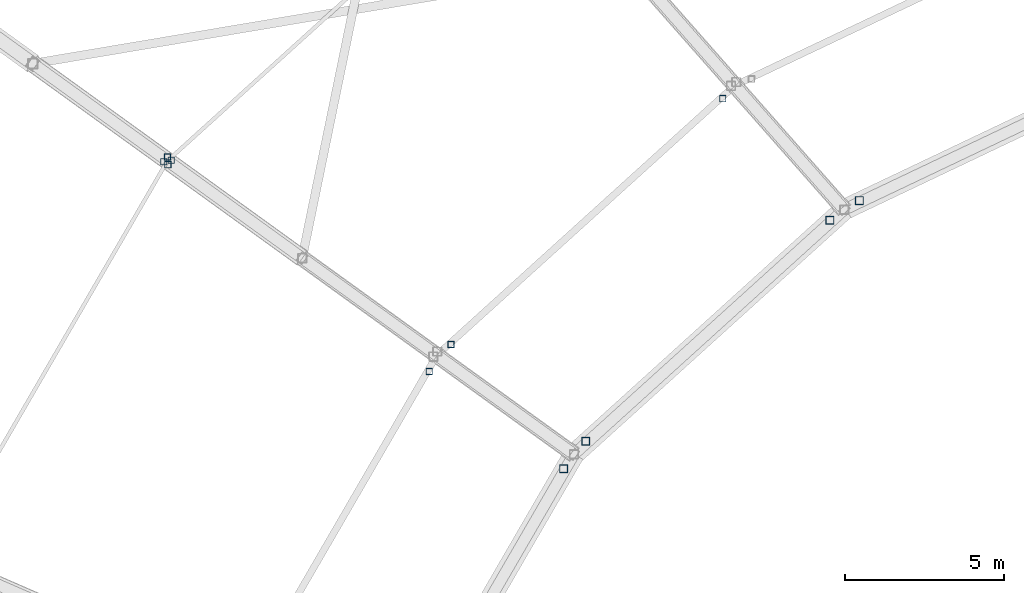
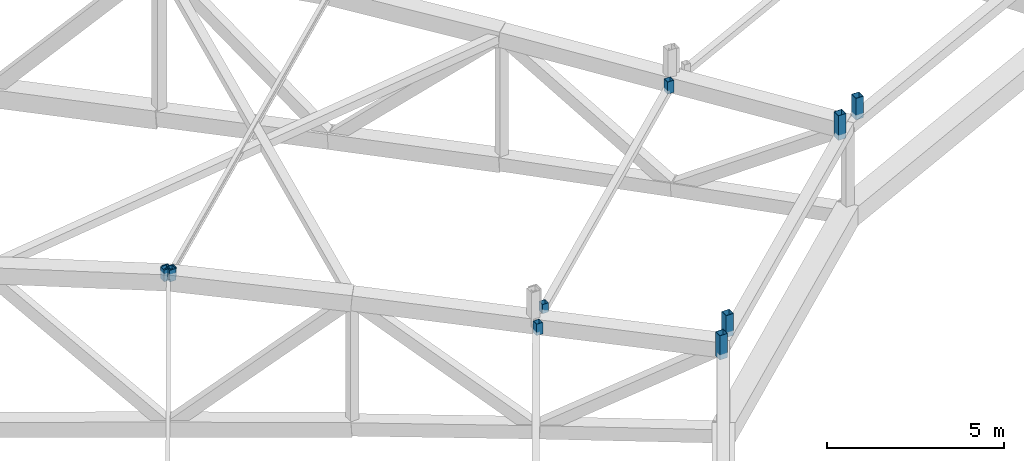
# One storey, part 111 of 162: 11 members.
"""IFC4 building model written with IfcOpenShell, lengths in metres."""

import ifcopenshell
import ifcopenshell.guid

model = None  # the IFC model being written
_history = None  # IfcOwnerHistory: only IFC2X3 demands one
_inside = {}  # id of a spatial element -> (the spatial element, [elements in it])
_under = {}  # id of a project, library or spatial element -> (it, [spatial elements below it])
_declared = {}  # id of a project -> (the project, [libraries it declares])
_typed = {}  # id of a type object -> (the type object, [elements of that type])
_made_of = {}  # id of a material, layer set ... -> (it, [elements and type objects made of it])


def new_model(schema):
    """Start an empty IFC model of exactly this schema.

    Asked for "IFC4X3", IfcOpenShell would pick the latest addendum, in which some entities
    have other attributes; the version numbers below select the first issue.
    IFC2X3 requires an IfcOwnerHistory on every rooted entity: one is made here for all.
    """
    global model, _history
    if schema == "IFC4X3":
        model = ifcopenshell.file(schema_version=(4, 3, 0, 0))
    else:
        model = ifcopenshell.file(schema=schema)
    _inside.clear()
    _under.clear()
    _declared.clear()
    _typed.clear()
    _made_of.clear()
    _history = None
    if model.schema == "IFC2X3":
        org = make("IfcOrganization", Name="unknown")
        user = make(
            "IfcPersonAndOrganization",
            ThePerson=make("IfcPerson", FamilyName="unknown"),
            TheOrganization=org,
        )
        app = make(
            "IfcApplication",
            ApplicationDeveloper=org,
            Version="unknown",
            ApplicationFullName="unknown",
            ApplicationIdentifier="unknown",
        )
        _history = make(
            "IfcOwnerHistory",
            OwningUser=user,
            OwningApplication=app,
            ChangeAction="ADDED",
            CreationDate=0,
        )
    return model


def make(cls, **values):
    """One entity of the class cls with the attributes given. An attribute that is None is left unset."""
    return model.create_entity(
        cls, **{name: value for name, value in values.items() if value is not None}
    )


def rooted(cls, **values):
    """An entity with a GlobalId (a new one), such as an element, a storey or a relation."""
    return make(cls, GlobalId=ifcopenshell.guid.new(), OwnerHistory=_history, **values)


def si_unit(unit_type, name, prefix=None):
    """IfcSIUnit, for example si_unit("LENGTHUNIT", "METRE", prefix="MILLI")."""
    return make("IfcSIUnit", UnitType=unit_type, Prefix=prefix, Name=name)


def assignment(units):
    """IfcUnitAssignment: the units of a project."""
    return None if units is None else make("IfcUnitAssignment", Units=units)


def point(xyz):
    """IfcCartesianPoint."""
    return None if xyz is None else make("IfcCartesianPoint", Coordinates=xyz)


def direction(xyz):
    """IfcDirection."""
    return None if xyz is None else make("IfcDirection", DirectionRatios=xyz)


def frame(location, z_axis=None, x_axis=None):
    """IfcAxis2Placement3D, a coordinate frame: its origin and axes. An axis left out is left unset."""
    return make(
        "IfcAxis2Placement3D",
        Location=point(location),
        Axis=direction(z_axis),
        RefDirection=direction(x_axis),
    )


def frame_2d(location, x_axis=None):
    """IfcAxis2Placement2D, a coordinate frame in the plane: its origin and x axis."""
    return make(
        "IfcAxis2Placement2D", Location=point(location), RefDirection=direction(x_axis)
    )


def origin():
    """The frame at (0, 0, 0) with its axes left unset."""
    return frame((0.0, 0.0, 0.0))


def origin_2d():
    """The frame at (0, 0) in the plane with its x axis left unset."""
    return frame_2d((0.0, 0.0))


def place(relative_to, where):
    """IfcLocalPlacement: puts the frame where relative to a parent placement (None: the world)."""
    return make(
        "IfcLocalPlacement", PlacementRelTo=relative_to, RelativePlacement=where
    )


def context(
    kind, dimensions, precision=None, world=None, true_north=None, identifier=None
):
    """IfcGeometricRepresentationContext, for example the 3D "Model" context."""
    return make(
        "IfcGeometricRepresentationContext",
        ContextIdentifier=identifier,
        ContextType=kind,
        CoordinateSpaceDimension=dimensions,
        Precision=precision,
        WorldCoordinateSystem=world,
        TrueNorth=true_north,
    )


def subcontext(parent, identifier, kind, view, scale=None):
    """IfcGeometricRepresentationSubContext, for example "Body" below "Model"."""
    return make(
        "IfcGeometricRepresentationSubContext",
        ContextIdentifier=identifier,
        ContextType=kind,
        ParentContext=parent,
        TargetScale=scale,
        TargetView=view,
    )


def project(units=None, contexts=None):
    """IfcProject with its units and contexts."""
    return rooted(
        "IfcProject",
        Name="project",
        RepresentationContexts=contexts,
        UnitsInContext=assignment(units),
    )


def spatial(cls, under=None, at=None, **own):
    """A site, building, storey or space (cls), placed at a placement, below another one or the project."""
    s = rooted(cls, ObjectPlacement=at, **own)
    if under is not None:
        _under.setdefault(under.id(), (under, []))[1].append(s)
    return s


def profile(cls, at=None, kind="AREA", **sizes):
    """A parametric profile (cls). Its sizes go by their IFC names, for example OverallWidth=200.0."""
    return make(cls, ProfileType=kind, Position=at, **sizes)


def hollow_rectangle(**sizes):
    """IfcRectangleHollowProfileDef."""
    return profile("IfcRectangleHollowProfileDef", **sizes)


def extrude(swept, where, along, depth):
    """IfcExtrudedAreaSolid: the profile swept, set in the frame where, extruded along a direction by depth."""
    return make(
        "IfcExtrudedAreaSolid",
        SweptArea=swept,
        Position=where,
        ExtrudedDirection=direction(along),
        Depth=depth,
    )


def shape(context_of_items, identifier, shape_type, items):
    """IfcShapeRepresentation: the items that make up one representation, for example the "Body"."""
    return make(
        "IfcShapeRepresentation",
        ContextOfItems=context_of_items,
        RepresentationIdentifier=identifier,
        RepresentationType=shape_type,
        Items=items,
    )


def material(Name=None, Category=None):
    """IfcMaterial."""
    return make("IfcMaterial", Name=Name, Category=Category)


def material_profile(
    of_material, cross_section, Name=None, Category=None, Priority=None
):
    """IfcMaterialProfile: a cross section and its material."""
    return make(
        "IfcMaterialProfile",
        Name=Name,
        Material=of_material,
        Profile=cross_section,
        Priority=Priority,
        Category=Category,
    )


def profile_set(profiles, Name=None, composite=None):
    """IfcMaterialProfileSet."""
    return make(
        "IfcMaterialProfileSet",
        Name=Name,
        MaterialProfiles=profiles,
        CompositeProfile=composite,
    )


def made_of(thing, what):
    """Note that an element or type object is made of a material, layer set ...; save() writes the relation."""
    if what is not None:
        _made_of.setdefault(what.id(), (what, []))[1].append(thing)
    return thing


def type_object(cls, material=None, **own):
    """A type object (cls), such as IfcWallType, which elements share."""
    return made_of(rooted(cls, **own), material)


def element(
    cls,
    number,
    at=None,
    inside=None,
    cuts=None,
    type_object=None,
    material=None,
    context=None,
    identifier="Body",
    shape_type=None,
    held_by="IfcProductDefinitionShape",
    body=None,
    shapes=None,
    **own,
):
    """One element of the class cls, such as IfcWall. Its Tag is "e" and its number.

    at: its placement. inside: the storey or other place that contains it. cuts: it is an
    opening in that element (IfcRelVoidsElement). A single representation is given by context,
    identifier, shape_type and body (its items); several are given by shapes. held_by: the class
    of the entity that holds the representations. save() writes the other relations.
    """
    e = rooted(cls, Tag="e%d" % number, ObjectPlacement=at, **own)
    if body is not None:
        shapes = [shape(context, identifier, shape_type, body)]
    if shapes is not None:
        e.Representation = make(held_by, Representations=shapes)
    if inside is not None:
        _inside.setdefault(inside.id(), (inside, []))[1].append(e)
    if cuts is not None:
        rooted(
            "IfcRelVoidsElement", RelatingBuildingElement=cuts, RelatedOpeningElement=e
        )
    if type_object is not None:
        _typed.setdefault(type_object.id(), (type_object, []))[1].append(e)
    return made_of(e, material)


def aggregate(whole, parts):
    """IfcRelAggregates: a whole, such as a stair, and the parts it consists of."""
    return rooted("IfcRelAggregates", RelatingObject=whole, RelatedObjects=parts)


def save(model, path):
    """Write the relations noted so far, then the file.

    IfcRelAggregates (storeys below a building ...), IfcRelContainedInSpatialStructure (elements
    in a storey), IfcRelDefinesByType, IfcRelAssociatesMaterial and IfcRelDeclares: one each for
    every whole, place, type object, material and project.
    """
    for whole, parts in _under.values():
        aggregate(whole, parts)
    for where, things in _inside.values():
        rooted(
            "IfcRelContainedInSpatialStructure",
            RelatedElements=things,
            RelatingStructure=where,
        )
    for kind, things in _typed.values():
        rooted("IfcRelDefinesByType", RelatedObjects=things, RelatingType=kind)
    for what, things in _made_of.values():
        rooted("IfcRelAssociatesMaterial", RelatedObjects=things, RelatingMaterial=what)
    for by, libraries in _declared.values():
        rooted("IfcRelDeclares", RelatingContext=by, RelatedDefinitions=libraries)
    model.write(path)


model = new_model("IFC4")

# Units and contexts
model_context = context("Model", 3, precision=1e-05, world=origin(), true_north=direction((0.0, 1.0)))
body_context = subcontext(model_context, "Body", "Model", "MODEL_VIEW")
ifc_project = project(units=[si_unit("LENGTHUNIT", "METRE"), si_unit("AREAUNIT", "SQUARE_METRE"), si_unit("VOLUMEUNIT", "CUBIC_METRE"), si_unit("PLANEANGLEUNIT", "RADIAN"), si_unit("MASSUNIT", "GRAM", prefix="KILO")], contexts=[model_context])

# Site, building, storey
site_placement = place(None, origin())
site = spatial("IfcSite", under=ifc_project, at=site_placement, CompositionType="ELEMENT")
building_placement = place(site_placement, origin())
building = spatial("IfcBuilding", under=site, at=building_placement, Name="Kazemori Nagisa Stadium", CompositionType="ELEMENT")
storey_placement = place(building_placement, frame((0.0, 0.0, 36.719970703125)))
storey = spatial("IfcBuildingStorey", under=building, at=storey_placement, Name="RF", CompositionType="ELEMENT", Elevation=36.719970703125)

# Members
ifc_material = material(Name="Steel STKR490", Category="steel")
ifc_material_profile_1 = material_profile(ifc_material, hollow_rectangle(XDim=0.25, YDim=0.25, WallThickness=0.011962890625, at=origin_2d()), Name="SHS-250x250x12")
ifc_profile_set_1 = profile_set([ifc_material_profile_1], Name="Steel STKR490")
member_type_1 = type_object("IfcMemberType", Name="Member_ST-SHS250", PredefinedType="STUD", material=ifc_profile_set_1)
member_1_placement = place(storey_placement, frame((89.990478515625, 140.30419921875, 5.35400390625), z_axis=(0.0, 0.0, 1.0), x_axis=(1.0, 0.0, 0.0)))
element("IfcMember", 1, at=member_1_placement, inside=storey, type_object=member_type_1, Name="Oculus skylight bearing stool B10-2", PredefinedType="STUD", context=body_context, shape_type="SweptSolid", body=[
    extrude(hollow_rectangle(XDim=0.25, YDim=0.25, WallThickness=0.011962890625, at=origin_2d()), origin(), (0.0, 0.0, 1.0), 0.74609375),
])
member_2_placement = place(storey_placement, frame((89.061767578125, 139.679443359375, 5.35400390625), z_axis=(0.0, 0.0, 1.0), x_axis=(1.0, 0.0, 0.0)))
element("IfcMember", 2, at=member_2_placement, inside=storey, type_object=member_type_1, Name="Oculus skylight bearing stool B11-1", PredefinedType="STUD", context=body_context, shape_type="SweptSolid", body=[
    extrude(hollow_rectangle(XDim=0.25, YDim=0.25, WallThickness=0.011962890625, at=origin_2d()), origin(), (0.0, 0.0, 1.0), 0.84912109375),
])
member_3_placement = place(storey_placement, frame((81.380615234375, 132.731689453125, 5.448974609375), z_axis=(0.0, 0.0, 1.0), x_axis=(1.0, 0.0, 0.0)))
element("IfcMember", 3, at=member_3_placement, inside=storey, type_object=member_type_1, Name="Oculus skylight bearing stool B11-2", PredefinedType="STUD", context=body_context, shape_type="SweptSolid", body=[
    extrude(hollow_rectangle(XDim=0.25, YDim=0.25, WallThickness=0.011962890625, at=origin_2d()), origin(), (0.0, 0.0, 1.0), 0.754150390625),
])
member_4_placement = place(storey_placement, frame((80.677978515625, 131.863525390625, 5.448974609375), z_axis=(0.0, 0.0, 1.0), x_axis=(1.0, 0.0, 0.0)))
element("IfcMember", 4, at=member_4_placement, inside=storey, type_object=member_type_1, Name="Oculus skylight bearing stool B12-1", PredefinedType="STUD", context=body_context, shape_type="SweptSolid", body=[
    extrude(hollow_rectangle(XDim=0.25, YDim=0.25, WallThickness=0.011962890625, at=origin_2d()), origin(), (0.0, 0.0, 1.0), 0.83203125),
])
ifc_material_profile_2 = material_profile(ifc_material, hollow_rectangle(XDim=0.199951171875, YDim=0.199951171875, WallThickness=0.009033203125, at=origin_2d()), Name="SHS-200x200x9")
ifc_profile_set_2 = profile_set([ifc_material_profile_2], Name="Steel STKR490")
member_type_2 = type_object("IfcMemberType", Name="Member_TS-SHS200", PredefinedType="STRUT", material=ifc_profile_set_2)
for number, where, z_axis, x_axis, name in (
    (5, (68.208251953125, 141.674072265625, 6.672119140625), (0.0, 0.0, 1.0), (1.0, 0.0, 0.0), "Canopy bearing stool B11-mid-3"),
    (6, (68.32861328125, 141.573974609375, 6.672119140625), (0.0, 0.0, 1.0), (1.0, 0.0, 0.0), "Canopy bearing stool B11-inner-2"),
):
    element("IfcMember", number, at=place(storey_placement, frame(where, z_axis=z_axis, x_axis=x_axis)), inside=storey, type_object=member_type_2, Name=name, PredefinedType="STRUT", context=body_context, shape_type="SweptSolid", body=[
        extrude(hollow_rectangle(XDim=0.199951171875, YDim=0.199951171875, WallThickness=0.009033203125, at=origin_2d()), origin(), (0.0, 0.0, 1.0), 0.31494140625),
    ])
member_5_placement = place(storey_placement, frame((77.134765625, 135.775390625, 5.887939453125), z_axis=(0.0, 0.0, 1.0), x_axis=(1.0, 0.0, 0.0)))
element("IfcMember", 7, at=member_5_placement, inside=storey, type_object=member_type_2, Name="Oculus skylight bearing stool B11-3", PredefinedType="STRUT", context=body_context, shape_type="SweptSolid", body=[
    extrude(hollow_rectangle(XDim=0.199951171875, YDim=0.199951171875, WallThickness=0.009033203125, at=origin_2d()), origin(), (0.0, 0.0, 1.0), 0.315185546875),
])
member_6_placement = place(storey_placement, frame((85.686767578125, 143.51220703125, 5.784912109375), z_axis=(0.0, 0.0, 1.0), x_axis=(1.0, 0.0, 0.0)))
element("IfcMember", 8, at=member_6_placement, inside=storey, type_object=member_type_2, Name="Oculus skylight bearing stool B11-4", PredefinedType="STRUT", context=body_context, shape_type="SweptSolid", body=[
    extrude(hollow_rectangle(XDim=0.199951171875, YDim=0.199951171875, WallThickness=0.009033203125, at=origin_2d()), origin(), (0.0, 0.0, 1.0), 0.418212890625),
])
for number, where, z_axis, x_axis, name in (
    (9, (68.09326171875, 141.527099609375, 6.672119140625), (0.0, 0.0, 1.0), (1.0, 0.0, 0.0), "Canopy bearing stool B12-mid-4"),
    (10, (68.222412109375, 141.4345703125, 6.672119140625), (0.0, 0.0, 1.0), (1.0, 0.0, 0.0), "Canopy bearing stool B12-inner-1"),
):
    element("IfcMember", number, at=place(storey_placement, frame(where, z_axis=z_axis, x_axis=x_axis)), inside=storey, type_object=member_type_2, Name=name, PredefinedType="STRUT", context=body_context, shape_type="SweptSolid", body=[
        extrude(hollow_rectangle(XDim=0.199951171875, YDim=0.199951171875, WallThickness=0.009033203125, at=origin_2d()), origin(), (0.0, 0.0, 1.0), 0.40087890625),
    ])
member_7_placement = place(storey_placement, frame((76.45166015625, 134.925048828125, 5.887939453125), z_axis=(0.0, 0.0, 1.0), x_axis=(1.0, 0.0, 0.0)))
element("IfcMember", 11, at=member_7_placement, inside=storey, type_object=member_type_2, Name="Oculus skylight bearing stool B12-4", PredefinedType="STRUT", context=body_context, shape_type="SweptSolid", body=[
    extrude(hollow_rectangle(XDim=0.199951171875, YDim=0.199951171875, WallThickness=0.009033203125, at=origin_2d()), origin(), (0.0, 0.0, 1.0), 0.39306640625),
])

save(model, "model.ifc")
